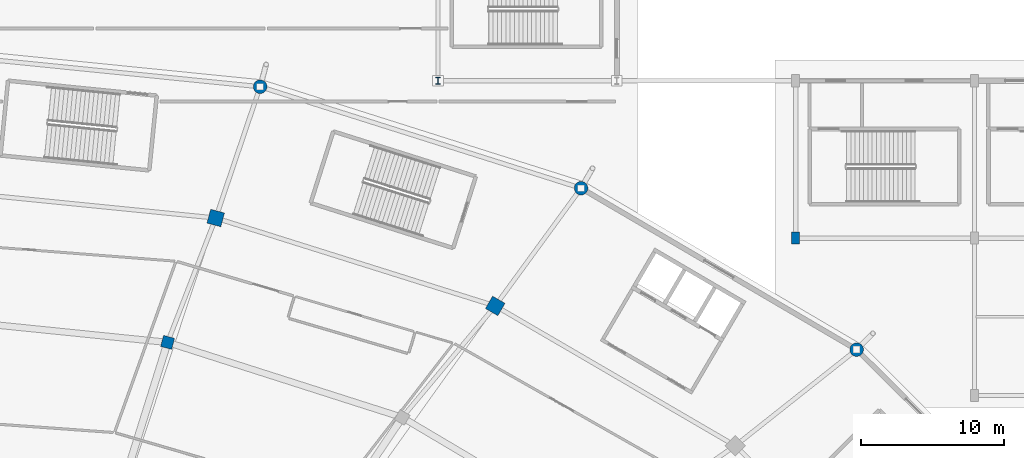
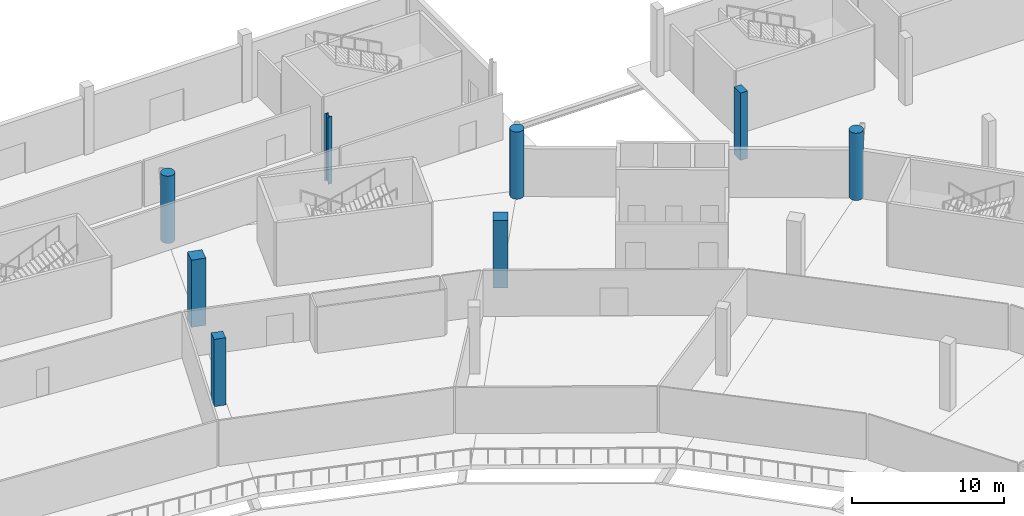
# One storey, part 20 of 82: 8 columns.
"""IFC4 building model written with IfcOpenShell, lengths in metres."""

from ifc_helpers import new_model, si_unit, direction, frame, origin, origin_2d, place, context, subcontext, project, spatial, rectangle, circle, i_section, extrude, material, material_profile, profile_set, type_object, element, save


model = new_model("IFC4")

# Units and contexts
model_context = context("Model", 3, precision=1e-05, world=origin(), true_north=direction((0.0, 1.0)))
body_context = subcontext(model_context, "Body", "Model", "MODEL_VIEW")
ifc_project = project(units=[si_unit("LENGTHUNIT", "METRE"), si_unit("AREAUNIT", "SQUARE_METRE"), si_unit("VOLUMEUNIT", "CUBIC_METRE"), si_unit("PLANEANGLEUNIT", "RADIAN"), si_unit("MASSUNIT", "GRAM", prefix="KILO")], contexts=[model_context])

# Site, building, storey
site_placement = place(None, origin())
site = spatial("IfcSite", under=ifc_project, at=site_placement, CompositionType="ELEMENT")
building_placement = place(site_placement, origin())
building = spatial("IfcBuilding", under=site, at=building_placement, Name="Zlatoyarsky Gate Stadium", CompositionType="ELEMENT")
storey_placement = place(building_placement, origin())
storey = spatial("IfcBuildingStorey", under=building, at=storey_placement, Name="L00", CompositionType="ELEMENT", Elevation=0.0)

# Columns
ifc_material_1 = material(Name="Concrete C40/50", Category="concrete")
ifc_material_profile_1 = material_profile(ifc_material_1, circle(Radius=0.47509765625, at=origin_2d()), Name="RC COL D950")
ifc_profile_set_1 = profile_set([ifc_material_profile_1], Name="Concrete C40/50")
column_type_1 = type_object("IfcColumnType", Name="CONCRETE CIRCULAR COLUMN D950", PredefinedType="COLUMN", material=ifc_profile_set_1)
for number, where, z_axis, x_axis, name in (
    (1, (176.760986328125, 130.20458984375, 0.0), (0.0, 0.0, 1.0), (0.707106781187, 0.707106781187, 0.0), "Column RC-CD95 RC-03 on L00"),
    (2, (157.5, 141.48779296875, 0.0), (0.0, 0.0, 1.0), (0.5, 0.866025403784, 0.0), "Column RC-CD95 RC-04 on L00"),
    (3, (135.0703125, 148.580810546875, 0.0), (0.0, 0.0, 1.0), (0.258819045103, 0.965925826289, 0.0), "Column RC-CD95 RC-05 on L00"),
):
    element("IfcColumn", number, at=place(storey_placement, frame(where, z_axis=z_axis, x_axis=x_axis)), inside=storey, type_object=column_type_1, Name=name, PredefinedType="COLUMN", context=body_context, shape_type="SweptSolid", body=[
        extrude(circle(Radius=0.47509765625, at=origin_2d()), origin(), (0.0, 0.0, 1.0), 5.39990234375),
    ])
ifc_material_profile_2 = material_profile(ifc_material_1, rectangle(XDim=1.0, YDim=1.0, at=origin_2d()), Name="RC COL 1000X1000")
ifc_profile_set_2 = profile_set([ifc_material_profile_2], Name="Concrete C40/50")
column_type_2 = type_object("IfcColumnType", Name="CONCRETE COLUMN 1000X1000", PredefinedType="COLUMN", material=ifc_profile_set_2)
for number, where, z_axis, x_axis, name in (
    (4, (151.5, 133.260498046875, 0.0), (0.0, 0.0, 1.0), (0.5, 0.866025403784, 0.0), "Column RC-C100 RB-04 on L00"),
    (5, (131.96435546875, 139.404296875, 0.0), (0.0, 0.0, 1.0), (0.258819045103, 0.965925826289, 0.0), "Column RC-C100 RB-05 on L00"),
):
    element("IfcColumn", number, at=place(storey_placement, frame(where, z_axis=z_axis, x_axis=x_axis)), inside=storey, type_object=column_type_2, Name=name, PredefinedType="COLUMN", context=body_context, shape_type="SweptSolid", body=[
        extrude(rectangle(XDim=1.0, YDim=1.0, at=origin_2d()), origin(), (0.0, 0.0, 1.0), 5.39990234375),
    ])
ifc_material_profile_3 = material_profile(ifc_material_1, rectangle(XDim=0.800048828125, YDim=0.800048828125, at=origin_2d()), Name="RC COL 800X800")
ifc_profile_set_3 = profile_set([ifc_material_profile_3], Name="Concrete C40/50")
column_type_3 = type_object("IfcColumnType", Name="CONCRETE COLUMN 800X800", PredefinedType="COLUMN", material=ifc_profile_set_3)
column_1_placement = place(storey_placement, frame((128.599609375, 130.711181640625, 0.0), z_axis=(0.0, 0.0, 1.0), x_axis=(0.258819045103, 0.965925826289, 0.0)))
element("IfcColumn", 6, at=column_1_placement, inside=storey, type_object=column_type_3, Name="Column RC-C80 RA-05 on L00", PredefinedType="COLUMN", context=body_context, shape_type="SweptSolid", body=[
    extrude(rectangle(XDim=0.800048828125, YDim=0.800048828125, at=origin_2d()), origin(), (0.0, 0.0, 1.0), 5.39990234375),
])
ifc_material_profile_4 = material_profile(ifc_material_1, rectangle(XDim=0.550048828125, YDim=0.85009765625, at=origin_2d()), Name="RC PILASTER 550X850")
ifc_profile_set_4 = profile_set([ifc_material_profile_4], Name="Concrete C40/50")
column_type_4 = type_object("IfcColumnType", Name="CONCRETE PORTAL PILASTER 550X850", PredefinedType="PILASTER", material=ifc_profile_set_4)
column_2_placement = place(storey_placement, frame((172.5, 138.0, 0.0), z_axis=(0.0, 0.0, 1.0), x_axis=(1.0, 0.0, 0.0)))
element("IfcColumn", 7, at=column_2_placement, inside=storey, type_object=column_type_4, Name="Column RC-PL85 WG-15-N on L00", PredefinedType="PILASTER", context=body_context, shape_type="SweptSolid", body=[
    extrude(rectangle(XDim=0.550048828125, YDim=0.85009765625, at=origin_2d()), origin(), (0.0, 0.0, 1.0), 5.39990234375),
])
ifc_material_2 = material(Name="Steel S355", Category="steel")
ifc_material_profile_5 = material_profile(ifc_material_2, i_section(OverallWidth=0.300048828125, OverallDepth=0.5, WebThickness=0.014404296875, FlangeThickness=0.028076171875, FilletRadius=0.027099609375, at=origin_2d()), Name="HEB 500")
ifc_profile_set_5 = profile_set([ifc_material_profile_5], Name="Steel S355")
column_type_5 = type_object("IfcColumnType", Name="STEEL COLUMN HEB 500", PredefinedType="COLUMN", material=ifc_profile_set_5)
column_3_placement = place(storey_placement, frame((147.5, 149.0, 0.0), z_axis=(0.0, 0.0, 1.0), x_axis=(1.0, 0.0, 0.0)))
element("IfcColumn", 8, at=column_3_placement, inside=storey, type_object=column_type_5, Name="Column ST-C500 WG-13-P on L00", PredefinedType="COLUMN", context=body_context, shape_type="SweptSolid", body=[
    extrude(i_section(OverallWidth=0.300048828125, OverallDepth=0.5, WebThickness=0.014404296875, FlangeThickness=0.028076171875, FilletRadius=0.027099609375, at=origin_2d()), origin(), (0.0, 0.0, 1.0), 5.39990234375),
])

save(model, "model.ifc")
